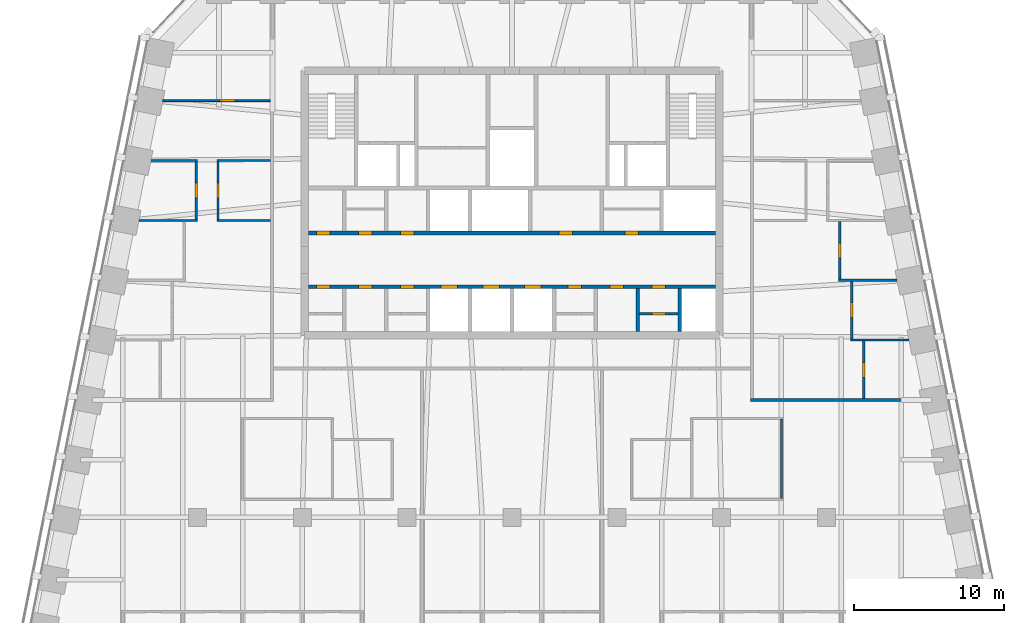
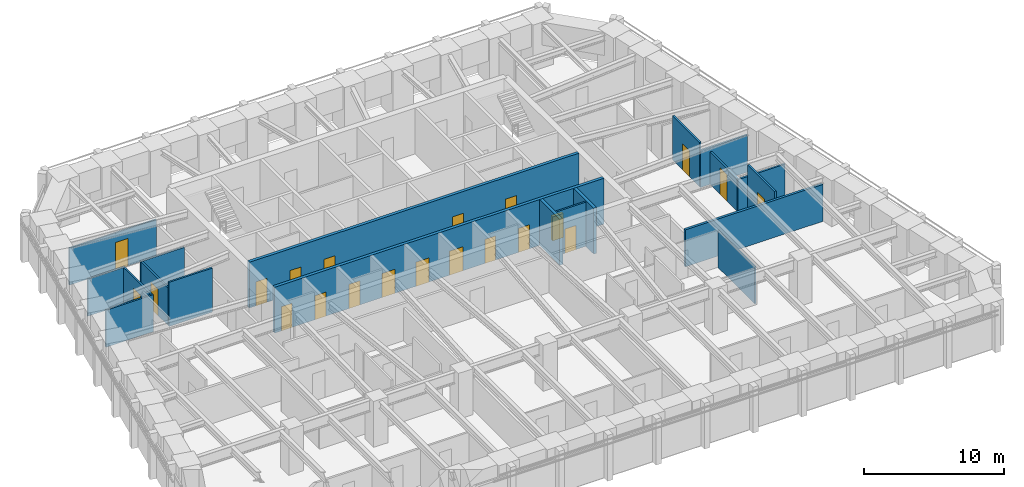
# One storey, part 7 of 11: 21 doors, 19 walls, 21 openings.
"""IFC4 building model written with IfcOpenShell, lengths in metres."""

import ifcopenshell
import ifcopenshell.guid

model = None  # the IFC model being written
_history = None  # IfcOwnerHistory: only IFC2X3 demands one
_inside = {}  # id of a spatial element -> (the spatial element, [elements in it])
_under = {}  # id of a project, library or spatial element -> (it, [spatial elements below it])
_declared = {}  # id of a project -> (the project, [libraries it declares])
_typed = {}  # id of a type object -> (the type object, [elements of that type])
_made_of = {}  # id of a material, layer set ... -> (it, [elements and type objects made of it])


def new_model(schema):
    """Start an empty IFC model of exactly this schema.

    Asked for "IFC4X3", IfcOpenShell would pick the latest addendum, in which some entities
    have other attributes; the version numbers below select the first issue.
    IFC2X3 requires an IfcOwnerHistory on every rooted entity: one is made here for all.
    """
    global model, _history
    if schema == "IFC4X3":
        model = ifcopenshell.file(schema_version=(4, 3, 0, 0))
    else:
        model = ifcopenshell.file(schema=schema)
    _inside.clear()
    _under.clear()
    _declared.clear()
    _typed.clear()
    _made_of.clear()
    _history = None
    if model.schema == "IFC2X3":
        org = make("IfcOrganization", Name="unknown")
        user = make(
            "IfcPersonAndOrganization",
            ThePerson=make("IfcPerson", FamilyName="unknown"),
            TheOrganization=org,
        )
        app = make(
            "IfcApplication",
            ApplicationDeveloper=org,
            Version="unknown",
            ApplicationFullName="unknown",
            ApplicationIdentifier="unknown",
        )
        _history = make(
            "IfcOwnerHistory",
            OwningUser=user,
            OwningApplication=app,
            ChangeAction="ADDED",
            CreationDate=0,
        )
    return model


def make(cls, **values):
    """One entity of the class cls with the attributes given. An attribute that is None is left unset."""
    return model.create_entity(
        cls, **{name: value for name, value in values.items() if value is not None}
    )


def rooted(cls, **values):
    """An entity with a GlobalId (a new one), such as an element, a storey or a relation."""
    return make(cls, GlobalId=ifcopenshell.guid.new(), OwnerHistory=_history, **values)


def si_unit(unit_type, name, prefix=None):
    """IfcSIUnit, for example si_unit("LENGTHUNIT", "METRE", prefix="MILLI")."""
    return make("IfcSIUnit", UnitType=unit_type, Prefix=prefix, Name=name)


def assignment(units):
    """IfcUnitAssignment: the units of a project."""
    return None if units is None else make("IfcUnitAssignment", Units=units)


def point(xyz):
    """IfcCartesianPoint."""
    return None if xyz is None else make("IfcCartesianPoint", Coordinates=xyz)


def direction(xyz):
    """IfcDirection."""
    return None if xyz is None else make("IfcDirection", DirectionRatios=xyz)


def frame(location, z_axis=None, x_axis=None):
    """IfcAxis2Placement3D, a coordinate frame: its origin and axes. An axis left out is left unset."""
    return make(
        "IfcAxis2Placement3D",
        Location=point(location),
        Axis=direction(z_axis),
        RefDirection=direction(x_axis),
    )


def frame_2d(location, x_axis=None):
    """IfcAxis2Placement2D, a coordinate frame in the plane: its origin and x axis."""
    return make(
        "IfcAxis2Placement2D", Location=point(location), RefDirection=direction(x_axis)
    )


def origin():
    """The frame at (0, 0, 0) with its axes left unset."""
    return frame((0.0, 0.0, 0.0))


def place(relative_to, where):
    """IfcLocalPlacement: puts the frame where relative to a parent placement (None: the world)."""
    return make(
        "IfcLocalPlacement", PlacementRelTo=relative_to, RelativePlacement=where
    )


def context(
    kind, dimensions, precision=None, world=None, true_north=None, identifier=None
):
    """IfcGeometricRepresentationContext, for example the 3D "Model" context."""
    return make(
        "IfcGeometricRepresentationContext",
        ContextIdentifier=identifier,
        ContextType=kind,
        CoordinateSpaceDimension=dimensions,
        Precision=precision,
        WorldCoordinateSystem=world,
        TrueNorth=true_north,
    )


def subcontext(parent, identifier, kind, view, scale=None):
    """IfcGeometricRepresentationSubContext, for example "Body" below "Model"."""
    return make(
        "IfcGeometricRepresentationSubContext",
        ContextIdentifier=identifier,
        ContextType=kind,
        ParentContext=parent,
        TargetScale=scale,
        TargetView=view,
    )


def project(units=None, contexts=None):
    """IfcProject with its units and contexts."""
    return rooted(
        "IfcProject",
        Name="project",
        RepresentationContexts=contexts,
        UnitsInContext=assignment(units),
    )


def spatial(cls, under=None, at=None, **own):
    """A site, building, storey or space (cls), placed at a placement, below another one or the project."""
    s = rooted(cls, ObjectPlacement=at, **own)
    if under is not None:
        _under.setdefault(under.id(), (under, []))[1].append(s)
    return s


def profile(cls, at=None, kind="AREA", **sizes):
    """A parametric profile (cls). Its sizes go by their IFC names, for example OverallWidth=200.0."""
    return make(cls, ProfileType=kind, Position=at, **sizes)


def rectangle(**sizes):
    """IfcRectangleProfileDef."""
    return profile("IfcRectangleProfileDef", **sizes)


def extrude(swept, where, along, depth):
    """IfcExtrudedAreaSolid: the profile swept, set in the frame where, extruded along a direction by depth."""
    return make(
        "IfcExtrudedAreaSolid",
        SweptArea=swept,
        Position=where,
        ExtrudedDirection=direction(along),
        Depth=depth,
    )


def shape(context_of_items, identifier, shape_type, items):
    """IfcShapeRepresentation: the items that make up one representation, for example the "Body"."""
    return make(
        "IfcShapeRepresentation",
        ContextOfItems=context_of_items,
        RepresentationIdentifier=identifier,
        RepresentationType=shape_type,
        Items=items,
    )


def material(Name=None, Category=None):
    """IfcMaterial."""
    return make("IfcMaterial", Name=Name, Category=Category)


def layer(
    of_material, thickness, ventilated=None, Name=None, Category=None, Priority=None
):
    """IfcMaterialLayer: one layer of a wall or slab, of a material (None: an air gap)."""
    return make(
        "IfcMaterialLayer",
        Material=of_material,
        LayerThickness=thickness,
        IsVentilated=ventilated,
        Name=Name,
        Category=Category,
        Priority=Priority,
    )


def layer_set(layers, Name=None):
    """IfcMaterialLayerSet."""
    return make("IfcMaterialLayerSet", MaterialLayers=layers, LayerSetName=Name)


def made_of(thing, what):
    """Note that an element or type object is made of a material, layer set ...; save() writes the relation."""
    if what is not None:
        _made_of.setdefault(what.id(), (what, []))[1].append(thing)
    return thing


def type_object(cls, material=None, **own):
    """A type object (cls), such as IfcWallType, which elements share."""
    return made_of(rooted(cls, **own), material)


def element(
    cls,
    number,
    at=None,
    inside=None,
    cuts=None,
    type_object=None,
    material=None,
    context=None,
    identifier="Body",
    shape_type=None,
    held_by="IfcProductDefinitionShape",
    body=None,
    shapes=None,
    **own,
):
    """One element of the class cls, such as IfcWall. Its Tag is "e" and its number.

    at: its placement. inside: the storey or other place that contains it. cuts: it is an
    opening in that element (IfcRelVoidsElement). A single representation is given by context,
    identifier, shape_type and body (its items); several are given by shapes. held_by: the class
    of the entity that holds the representations. save() writes the other relations.
    """
    e = rooted(cls, Tag="e%d" % number, ObjectPlacement=at, **own)
    if body is not None:
        shapes = [shape(context, identifier, shape_type, body)]
    if shapes is not None:
        e.Representation = make(held_by, Representations=shapes)
    if inside is not None:
        _inside.setdefault(inside.id(), (inside, []))[1].append(e)
    if cuts is not None:
        rooted(
            "IfcRelVoidsElement", RelatingBuildingElement=cuts, RelatedOpeningElement=e
        )
    if type_object is not None:
        _typed.setdefault(type_object.id(), (type_object, []))[1].append(e)
    return made_of(e, material)


def fill(opening, filler):
    """IfcRelFillsElement: the door or window that sits in an opening."""
    return rooted(
        "IfcRelFillsElement",
        RelatingOpeningElement=opening,
        RelatedBuildingElement=filler,
    )


def aggregate(whole, parts):
    """IfcRelAggregates: a whole, such as a stair, and the parts it consists of."""
    return rooted("IfcRelAggregates", RelatingObject=whole, RelatedObjects=parts)


def save(model, path):
    """Write the relations noted so far, then the file.

    IfcRelAggregates (storeys below a building ...), IfcRelContainedInSpatialStructure (elements
    in a storey), IfcRelDefinesByType, IfcRelAssociatesMaterial and IfcRelDeclares: one each for
    every whole, place, type object, material and project.
    """
    for whole, parts in _under.values():
        aggregate(whole, parts)
    for where, things in _inside.values():
        rooted(
            "IfcRelContainedInSpatialStructure",
            RelatedElements=things,
            RelatingStructure=where,
        )
    for kind, things in _typed.values():
        rooted("IfcRelDefinesByType", RelatedObjects=things, RelatingType=kind)
    for what, things in _made_of.values():
        rooted("IfcRelAssociatesMaterial", RelatedObjects=things, RelatingMaterial=what)
    for by, libraries in _declared.values():
        rooted("IfcRelDeclares", RelatingContext=by, RelatedDefinitions=libraries)
    model.write(path)


model = new_model("IFC4")

# Units and contexts
model_context = context("Model", 3, precision=1e-05, world=origin(), true_north=direction((0.0, 1.0)))
body_context = subcontext(model_context, "Body", "Model", "MODEL_VIEW")
ifc_project = project(units=[si_unit("LENGTHUNIT", "METRE"), si_unit("AREAUNIT", "SQUARE_METRE"), si_unit("VOLUMEUNIT", "CUBIC_METRE"), si_unit("PLANEANGLEUNIT", "RADIAN"), si_unit("MASSUNIT", "GRAM", prefix="KILO")], contexts=[model_context])

# Site, building, storey
site_placement = place(None, origin())
site = spatial("IfcSite", under=ifc_project, at=site_placement, CompositionType="ELEMENT")
building_placement = place(site_placement, origin())
building = spatial("IfcBuilding", under=site, at=building_placement, Name="Isbrekke Arena Tower", CompositionType="ELEMENT")
storey_placement = place(building_placement, frame((0.0, 0.0, 252.0)))
storey = spatial("IfcBuildingStorey", under=building, at=storey_placement, Name="L58", CompositionType="ELEMENT", Elevation=252.0)

# Wall, openings, doors
ifc_material_1 = material(Name="Concrete B45 (C45/55)", Category="concrete")
ifc_layer_1 = layer(ifc_material_1, 0.25)
ifc_layer_set_1 = layer_set([ifc_layer_1], Name="CW6 SHAFT WALL 250")
wall_type_1 = type_object("IfcWallType", Name="CW6 SHAFT WALL 250", PredefinedType="SHEAR", material=ifc_layer_set_1)
wall_1_placement = place(storey_placement, frame((-13.60009765625, 9.39990234375, 0.0), z_axis=(0.0, 0.0, 1.0), x_axis=(1.0, 0.0, 0.0)))
wall_1 = element("IfcWall", 1, at=wall_1_placement, inside=storey, type_object=wall_type_1, Name="Core wall LS L58", PredefinedType="SHEAR", context=body_context, shape_type="SweptSolid", body=[
    extrude(rectangle(XDim=27.2001953125, YDim=0.25, at=frame_2d((13.60009765625, 0.0))), origin(), (0.0, 0.0, 1.0), 4.0),
])
opening_1_placement = place(wall_1_placement, frame((8.85009765625, 0.0, 0.0)))
opening_1 = element("IfcOpeningElement", 2, at=opening_1_placement, cuts=wall_1, Name="Opening LD1", PredefinedType="OPENING", context=body_context, shape_type="SweptSolid", body=[
    extrude(rectangle(XDim=1.10009765625, YDim=2.10009765625, at=frame_2d((0.550048828125, 1.050048828125))), frame((0.0, 0.139892578125, 0.0), z_axis=(0.0, -1.0, 0.0), x_axis=(1.0, 0.0, 0.0)), (0.0, 0.0, 1.0), 0.27978515625),
])
opening_2_placement = place(wall_1_placement, frame((11.64990234375, 0.0, 0.0)))
opening_2 = element("IfcOpeningElement", 3, at=opening_2_placement, cuts=wall_1, Name="Opening LD1", PredefinedType="OPENING", context=body_context, shape_type="SweptSolid", body=[
    extrude(rectangle(XDim=1.10009765625, YDim=2.10009765625, at=frame_2d((0.550048828125, 1.050048828125))), frame((0.0, 0.139892578125, 0.0), z_axis=(0.0, -1.0, 0.0), x_axis=(1.0, 0.0, 0.0)), (0.0, 0.0, 1.0), 0.27978515625),
])
opening_3_placement = place(wall_1_placement, frame((14.449951171875, 0.0, 0.0)))
opening_3 = element("IfcOpeningElement", 4, at=opening_3_placement, cuts=wall_1, Name="Opening LD1", PredefinedType="OPENING", context=body_context, shape_type="SweptSolid", body=[
    extrude(rectangle(XDim=1.10009765625, YDim=2.10009765625, at=frame_2d((0.550048828125, 1.050048828125))), frame((0.0, 0.139892578125, 0.0), z_axis=(0.0, -1.0, 0.0), x_axis=(1.0, 0.0, 0.0)), (0.0, 0.0, 1.0), 0.27978515625),
])
opening_4_placement = place(wall_1_placement, frame((0.550048828125, 0.0, 0.0)))
opening_4 = element("IfcOpeningElement", 5, at=opening_4_placement, cuts=wall_1, Name="Opening D5", PredefinedType="OPENING", context=body_context, shape_type="SweptSolid", body=[
    extrude(rectangle(XDim=0.89990234375, YDim=2.10009765625, at=frame_2d((0.449951171875, 1.050048828125))), frame((0.0, 0.139892578125, 0.0), z_axis=(0.0, -1.0, 0.0), x_axis=(1.0, 0.0, 0.0)), (0.0, 0.0, 1.0), 0.27978515625),
])
opening_5_placement = place(wall_1_placement, frame((3.35009765625, 0.0, 0.0)))
opening_5 = element("IfcOpeningElement", 6, at=opening_5_placement, cuts=wall_1, Name="Opening D5", PredefinedType="OPENING", context=body_context, shape_type="SweptSolid", body=[
    extrude(rectangle(XDim=0.89990234375, YDim=2.10009765625, at=frame_2d((0.449951171875, 1.050048828125))), frame((0.0, 0.139892578125, 0.0), z_axis=(0.0, -1.0, 0.0), x_axis=(1.0, 0.0, 0.0)), (0.0, 0.0, 1.0), 0.27978515625),
])
opening_6_placement = place(wall_1_placement, frame((6.14990234375, 0.0, 0.0)))
opening_6 = element("IfcOpeningElement", 7, at=opening_6_placement, cuts=wall_1, Name="Opening D5", PredefinedType="OPENING", context=body_context, shape_type="SweptSolid", body=[
    extrude(rectangle(XDim=0.89990234375, YDim=2.10009765625, at=frame_2d((0.449951171875, 1.050048828125))), frame((0.0, 0.139892578125, 0.0), z_axis=(0.0, -1.0, 0.0), x_axis=(1.0, 0.0, 0.0)), (0.0, 0.0, 1.0), 0.27978515625),
])
opening_7_placement = place(wall_1_placement, frame((17.35009765625, 0.0, 0.0)))
opening_7 = element("IfcOpeningElement", 8, at=opening_7_placement, cuts=wall_1, Name="Opening D5", PredefinedType="OPENING", context=body_context, shape_type="SweptSolid", body=[
    extrude(rectangle(XDim=0.89990234375, YDim=2.10009765625, at=frame_2d((0.449951171875, 1.050048828125))), frame((0.0, 0.139892578125, 0.0), z_axis=(0.0, -1.0, 0.0), x_axis=(1.0, 0.0, 0.0)), (0.0, 0.0, 1.0), 0.27978515625),
])
opening_8_placement = place(wall_1_placement, frame((20.14990234375, 0.0, 0.0)))
opening_8 = element("IfcOpeningElement", 9, at=opening_8_placement, cuts=wall_1, Name="Opening D5", PredefinedType="OPENING", context=body_context, shape_type="SweptSolid", body=[
    extrude(rectangle(XDim=0.89990234375, YDim=2.10009765625, at=frame_2d((0.449951171875, 1.050048828125))), frame((0.0, 0.139892578125, 0.0), z_axis=(0.0, -1.0, 0.0), x_axis=(1.0, 0.0, 0.0)), (0.0, 0.0, 1.0), 0.27978515625),
])
opening_9_placement = place(wall_1_placement, frame((22.949951171875, 0.0, 0.0)))
opening_9 = element("IfcOpeningElement", 10, at=opening_9_placement, cuts=wall_1, Name="Opening D5", PredefinedType="OPENING", context=body_context, shape_type="SweptSolid", body=[
    extrude(rectangle(XDim=0.89990234375, YDim=2.10009765625, at=frame_2d((0.449951171875, 1.050048828125))), frame((0.0, 0.139892578125, 0.0), z_axis=(0.0, -1.0, 0.0), x_axis=(1.0, 0.0, 0.0)), (0.0, 0.0, 1.0), 0.27978515625),
])
ifc_material_2 = material(Name="Steel fire door", Category="steel")
door_type_1 = type_object("IfcDoorType", Name="D5 SERVICE DOOR 900 x 2100", OperationType="SINGLE_SWING_LEFT", PredefinedType="DOOR", material=ifc_material_2)
door_1_placement = place(opening_4_placement, origin())
door_1 = element("IfcDoor", 11, at=door_1_placement, inside=storey, type_object=door_type_1, Name="D5 pantry door L58", OperationType="SINGLE_SWING_LEFT", OverallHeight=2.10009765625, OverallWidth=0.89990234375, PredefinedType="DOOR", context=body_context, shape_type="SweptSolid", body=[
    extrude(rectangle(XDim=0.89990234375, YDim=2.10009765625, at=frame_2d((0.449951171875, 1.050048828125))), frame((0.0, 0.124755859375, 0.0), z_axis=(0.0, -1.0, 0.0), x_axis=(1.0, 0.0, 0.0)), (0.0, 0.0, 1.0), 0.24951171875),
])
fill(opening_4, door_1)
door_2_placement = place(opening_5_placement, origin())
door_2 = element("IfcDoor", 12, at=door_2_placement, inside=storey, type_object=door_type_1, Name="D5 technical room door L58", OperationType="SINGLE_SWING_LEFT", OverallHeight=2.10009765625, OverallWidth=0.89990234375, PredefinedType="DOOR", context=body_context, shape_type="SweptSolid", body=[
    extrude(rectangle(XDim=0.89990234375, YDim=2.10009765625, at=frame_2d((0.449951171875, 1.050048828125))), frame((0.0, 0.124755859375, 0.0), z_axis=(0.0, -1.0, 0.0), x_axis=(1.0, 0.0, 0.0)), (0.0, 0.0, 1.0), 0.24951171875),
])
fill(opening_5, door_2)
door_3_placement = place(opening_6_placement, origin())
door_3 = element("IfcDoor", 13, at=door_3_placement, inside=storey, type_object=door_type_1, Name="D5 first-aid room door L58", OperationType="SINGLE_SWING_LEFT", OverallHeight=2.10009765625, OverallWidth=0.89990234375, PredefinedType="DOOR", context=body_context, shape_type="SweptSolid", body=[
    extrude(rectangle(XDim=0.89990234375, YDim=2.10009765625, at=frame_2d((0.449951171875, 1.050048828125))), frame((0.0, 0.124755859375, 0.0), z_axis=(0.0, -1.0, 0.0), x_axis=(1.0, 0.0, 0.0)), (0.0, 0.0, 1.0), 0.24951171875),
])
fill(opening_6, door_3)
door_4_placement = place(opening_7_placement, origin())
door_4 = element("IfcDoor", 14, at=door_4_placement, inside=storey, type_object=door_type_1, Name="D5 tea point door L58", OperationType="SINGLE_SWING_LEFT", OverallHeight=2.10009765625, OverallWidth=0.89990234375, PredefinedType="DOOR", context=body_context, shape_type="SweptSolid", body=[
    extrude(rectangle(XDim=0.89990234375, YDim=2.10009765625, at=frame_2d((0.449951171875, 1.050048828125))), frame((0.0, 0.124755859375, 0.0), z_axis=(0.0, -1.0, 0.0), x_axis=(1.0, 0.0, 0.0)), (0.0, 0.0, 1.0), 0.24951171875),
])
fill(opening_7, door_4)
door_5_placement = place(opening_8_placement, origin())
door_5 = element("IfcDoor", 15, at=door_5_placement, inside=storey, type_object=door_type_1, Name="D5 archive door L58", OperationType="SINGLE_SWING_LEFT", OverallHeight=2.10009765625, OverallWidth=0.89990234375, PredefinedType="DOOR", context=body_context, shape_type="SweptSolid", body=[
    extrude(rectangle(XDim=0.89990234375, YDim=2.10009765625, at=frame_2d((0.449951171875, 1.050048828125))), frame((0.0, 0.124755859375, 0.0), z_axis=(0.0, -1.0, 0.0), x_axis=(1.0, 0.0, 0.0)), (0.0, 0.0, 1.0), 0.24951171875),
])
fill(opening_8, door_5)
door_6_placement = place(opening_9_placement, origin())
door_6 = element("IfcDoor", 16, at=door_6_placement, inside=storey, type_object=door_type_1, Name="D5 mothers' room door L58", OperationType="SINGLE_SWING_LEFT", OverallHeight=2.10009765625, OverallWidth=0.89990234375, PredefinedType="DOOR", context=body_context, shape_type="SweptSolid", body=[
    extrude(rectangle(XDim=0.89990234375, YDim=2.10009765625, at=frame_2d((0.449951171875, 1.050048828125))), frame((0.0, 0.124755859375, 0.0), z_axis=(0.0, -1.0, 0.0), x_axis=(1.0, 0.0, 0.0)), (0.0, 0.0, 1.0), 0.24951171875),
])
fill(opening_9, door_6)
ifc_material_3 = material(Name="Stainless steel lift landing door", Category="steel")
door_type_2 = type_object("IfcDoorType", Name="LD1 LIFT LANDING DOOR 1100 x 2100", OperationType="SLIDING_TO_LEFT", PredefinedType="DOOR", material=ifc_material_3)
door_7_placement = place(opening_1_placement, origin())
door_7 = element("IfcDoor", 17, at=door_7_placement, inside=storey, type_object=door_type_2, Name="LD1 lift landing door LE L58", OperationType="SLIDING_TO_LEFT", OverallHeight=2.10009765625, OverallWidth=1.10009765625, PredefinedType="DOOR", context=body_context, shape_type="SweptSolid", body=[
    extrude(rectangle(XDim=1.10009765625, YDim=2.10009765625, at=frame_2d((0.550048828125, 1.050048828125))), frame((0.0, 0.124755859375, 0.0), z_axis=(0.0, -1.0, 0.0), x_axis=(1.0, 0.0, 0.0)), (0.0, 0.0, 1.0), 0.24951171875),
])
fill(opening_1, door_7)
door_8_placement = place(opening_2_placement, origin())
door_8 = element("IfcDoor", 18, at=door_8_placement, inside=storey, type_object=door_type_2, Name="LD1 lift landing door LE L58", OperationType="SLIDING_TO_LEFT", OverallHeight=2.10009765625, OverallWidth=1.10009765625, PredefinedType="DOOR", context=body_context, shape_type="SweptSolid", body=[
    extrude(rectangle(XDim=1.10009765625, YDim=2.10009765625, at=frame_2d((0.550048828125, 1.050048828125))), frame((0.0, 0.124755859375, 0.0), z_axis=(0.0, -1.0, 0.0), x_axis=(1.0, 0.0, 0.0)), (0.0, 0.0, 1.0), 0.24951171875),
])
fill(opening_2, door_8)
door_9_placement = place(opening_3_placement, origin())
door_9 = element("IfcDoor", 19, at=door_9_placement, inside=storey, type_object=door_type_2, Name="LD1 lift landing door LE L58", OperationType="SLIDING_TO_LEFT", OverallHeight=2.10009765625, OverallWidth=1.10009765625, PredefinedType="DOOR", context=body_context, shape_type="SweptSolid", body=[
    extrude(rectangle(XDim=1.10009765625, YDim=2.10009765625, at=frame_2d((0.550048828125, 1.050048828125))), frame((0.0, 0.124755859375, 0.0), z_axis=(0.0, -1.0, 0.0), x_axis=(1.0, 0.0, 0.0)), (0.0, 0.0, 1.0), 0.24951171875),
])
fill(opening_3, door_9)

wall_2_placement = place(storey_placement, frame((-13.60009765625, 13.0, 0.0), z_axis=(0.0, 0.0, 1.0), x_axis=(1.0, 0.0, 0.0)))
wall_2 = element("IfcWall", 20, at=wall_2_placement, inside=storey, type_object=wall_type_1, Name="Core wall LN L58", PredefinedType="SHEAR", context=body_context, shape_type="SweptSolid", body=[
    extrude(rectangle(XDim=27.2001953125, YDim=0.25, at=frame_2d((13.60009765625, 0.0))), origin(), (0.0, 0.0, 1.0), 4.0),
])
opening_10_placement = place(wall_2_placement, frame((16.75, 0.0, 0.0)))
opening_10 = element("IfcOpeningElement", 21, at=opening_10_placement, cuts=wall_2, Name="Opening D5", PredefinedType="OPENING", context=body_context, shape_type="SweptSolid", body=[
    extrude(rectangle(XDim=0.89990234375, YDim=2.10009765625, at=frame_2d((0.449951171875, 1.050048828125))), frame((0.0, 0.139892578125, 0.0), z_axis=(0.0, -1.0, 0.0), x_axis=(1.0, 0.0, 0.0)), (0.0, 0.0, 1.0), 0.27978515625),
])
opening_11_placement = place(wall_2_placement, frame((21.14990234375, 0.0, 0.0)))
opening_11 = element("IfcOpeningElement", 22, at=opening_11_placement, cuts=wall_2, Name="Opening D5", PredefinedType="OPENING", context=body_context, shape_type="SweptSolid", body=[
    extrude(rectangle(XDim=0.89990234375, YDim=2.10009765625, at=frame_2d((0.449951171875, 1.050048828125))), frame((0.0, 0.139892578125, 0.0), z_axis=(0.0, -1.0, 0.0), x_axis=(1.0, 0.0, 0.0)), (0.0, 0.0, 1.0), 0.27978515625),
])
opening_12_placement = place(wall_2_placement, frame((0.550048828125, 0.0, 0.0)))
opening_12 = element("IfcOpeningElement", 23, at=opening_12_placement, cuts=wall_2, Name="Opening D5", PredefinedType="OPENING", context=body_context, shape_type="SweptSolid", body=[
    extrude(rectangle(XDim=0.89990234375, YDim=2.10009765625, at=frame_2d((0.449951171875, 1.050048828125))), frame((0.0, 0.139892578125, 0.0), z_axis=(0.0, -1.0, 0.0), x_axis=(1.0, 0.0, 0.0)), (0.0, 0.0, 1.0), 0.27978515625),
])
opening_13_placement = place(wall_2_placement, frame((3.35009765625, 0.0, 0.0)))
opening_13 = element("IfcOpeningElement", 24, at=opening_13_placement, cuts=wall_2, Name="Opening D5", PredefinedType="OPENING", context=body_context, shape_type="SweptSolid", body=[
    extrude(rectangle(XDim=0.89990234375, YDim=2.10009765625, at=frame_2d((0.449951171875, 1.050048828125))), frame((0.0, 0.139892578125, 0.0), z_axis=(0.0, -1.0, 0.0), x_axis=(1.0, 0.0, 0.0)), (0.0, 0.0, 1.0), 0.27978515625),
])
opening_14_placement = place(wall_2_placement, frame((6.14990234375, 0.0, 0.0)))
opening_14 = element("IfcOpeningElement", 25, at=opening_14_placement, cuts=wall_2, Name="Opening D5", PredefinedType="OPENING", context=body_context, shape_type="SweptSolid", body=[
    extrude(rectangle(XDim=0.89990234375, YDim=2.10009765625, at=frame_2d((0.449951171875, 1.050048828125))), frame((0.0, 0.139892578125, 0.0), z_axis=(0.0, -1.0, 0.0), x_axis=(1.0, 0.0, 0.0)), (0.0, 0.0, 1.0), 0.27978515625),
])
door_10_placement = place(opening_10_placement, origin())
door_10 = element("IfcDoor", 26, at=door_10_placement, inside=storey, type_object=door_type_1, Name="D5 cleaner's store door L58", OperationType="SINGLE_SWING_LEFT", OverallHeight=2.10009765625, OverallWidth=0.89990234375, PredefinedType="DOOR", context=body_context, shape_type="SweptSolid", body=[
    extrude(rectangle(XDim=0.89990234375, YDim=2.10009765625, at=frame_2d((0.449951171875, 1.050048828125))), frame((0.0, 0.124755859375, 0.0), z_axis=(0.0, -1.0, 0.0), x_axis=(1.0, 0.0, 0.0)), (0.0, 0.0, 1.0), 0.24951171875),
])
fill(opening_10, door_10)
door_11_placement = place(opening_11_placement, origin())
door_11 = element("IfcDoor", 27, at=door_11_placement, inside=storey, type_object=door_type_1, Name="D5 communications room door L58", OperationType="SINGLE_SWING_LEFT", OverallHeight=2.10009765625, OverallWidth=0.89990234375, PredefinedType="DOOR", context=body_context, shape_type="SweptSolid", body=[
    extrude(rectangle(XDim=0.89990234375, YDim=2.10009765625, at=frame_2d((0.449951171875, 1.050048828125))), frame((0.0, 0.124755859375, 0.0), z_axis=(0.0, -1.0, 0.0), x_axis=(1.0, 0.0, 0.0)), (0.0, 0.0, 1.0), 0.24951171875),
])
fill(opening_11, door_11)
door_12_placement = place(opening_12_placement, origin())
door_12 = element("IfcDoor", 28, at=door_12_placement, inside=storey, type_object=door_type_1, Name="D5 print room door L58", OperationType="SINGLE_SWING_LEFT", OverallHeight=2.10009765625, OverallWidth=0.89990234375, PredefinedType="DOOR", context=body_context, shape_type="SweptSolid", body=[
    extrude(rectangle(XDim=0.89990234375, YDim=2.10009765625, at=frame_2d((0.449951171875, 1.050048828125))), frame((0.0, 0.124755859375, 0.0), z_axis=(0.0, -1.0, 0.0), x_axis=(1.0, 0.0, 0.0)), (0.0, 0.0, 1.0), 0.24951171875),
])
fill(opening_12, door_12)
door_13_placement = place(opening_13_placement, origin())
door_13 = element("IfcDoor", 29, at=door_13_placement, inside=storey, type_object=door_type_1, Name="D5 pantry door L58", OperationType="SINGLE_SWING_LEFT", OverallHeight=2.10009765625, OverallWidth=0.89990234375, PredefinedType="DOOR", context=body_context, shape_type="SweptSolid", body=[
    extrude(rectangle(XDim=0.89990234375, YDim=2.10009765625, at=frame_2d((0.449951171875, 1.050048828125))), frame((0.0, 0.124755859375, 0.0), z_axis=(0.0, -1.0, 0.0), x_axis=(1.0, 0.0, 0.0)), (0.0, 0.0, 1.0), 0.24951171875),
])
fill(opening_13, door_13)
door_14_placement = place(opening_14_placement, origin())
door_14 = element("IfcDoor", 30, at=door_14_placement, inside=storey, type_object=door_type_1, Name="D5 tenant store door L58", OperationType="SINGLE_SWING_LEFT", OverallHeight=2.10009765625, OverallWidth=0.89990234375, PredefinedType="DOOR", context=body_context, shape_type="SweptSolid", body=[
    extrude(rectangle(XDim=0.89990234375, YDim=2.10009765625, at=frame_2d((0.449951171875, 1.050048828125))), frame((0.0, 0.124755859375, 0.0), z_axis=(0.0, -1.0, 0.0), x_axis=(1.0, 0.0, 0.0)), (0.0, 0.0, 1.0), 0.24951171875),
])
fill(opening_14, door_14)

# Walls
for number, where, z_axis, x_axis, name in (
    (31, (8.39990234375, 6.39990234375, 0.0), (0.0, 0.0, 1.0), (0.0, 1.0, 0.0), "Core wall SS08 L58"),
    (32, (11.199951171875, 6.39990234375, 0.0), (0.0, 0.0, 1.0), (0.0, 1.0, 0.0), "Core wall SS09 L58"),
):
    element("IfcWall", number, at=place(storey_placement, frame(where, z_axis=z_axis, x_axis=x_axis)), inside=storey, type_object=wall_type_1, Name=name, PredefinedType="SHEAR", context=body_context, shape_type="SweptSolid", body=[
        extrude(rectangle(XDim=2.875, YDim=0.25, at=frame_2d((1.4375, 0.0))), origin(), (0.0, 0.0, 1.0), 4.0),
    ])
ifc_material_4 = material(Name="Gypsum board partition on steel studs", Category="steel")
ifc_layer_2 = layer(ifc_material_4, 0.14990234375)
ifc_layer_set_2 = layer_set([ifc_layer_2], Name="IW1 PARTITION 150")
wall_type_2 = type_object("IfcWallType", Name="IW1 PARTITION 150", PredefinedType="PARTITIONING", material=ifc_layer_set_2)
wall_3_placement = place(storey_placement, frame((22.625, 5.840087890625, 0.0), z_axis=(0.0, 0.0, 1.0), x_axis=(1.0, 0.0, 0.0)))
element("IfcWall", 33, at=wall_3_placement, inside=storey, type_object=wall_type_2, Name="IW1 partition 150 L58", PredefinedType="PARTITIONING", context=body_context, shape_type="SweptSolid", body=[
    extrude(rectangle(XDim=3.898681640625, YDim=0.14990234375, at=frame_2d((1.94921875, 0.0))), origin(), (0.0, 0.0, 1.0), 2.842041015625),
])
for number, where, z_axis, x_axis, name in (
    (34, (21.824951171875, 9.840087890625, 0.0), (0.0, 0.0, 1.0), (1.0, 0.0, 0.0), "IW1 partition 150 L58"),
    (35, (-24.923828125, 13.840087890625, 0.0), (0.0, 0.0, 1.0), (1.0, 0.0, 0.0), "IW1 partition 150 L58"),
):
    element("IfcWall", number, at=place(storey_placement, frame(where, z_axis=z_axis, x_axis=x_axis)), inside=storey, type_object=wall_type_2, Name=name, PredefinedType="PARTITIONING", context=body_context, shape_type="SweptSolid", body=[
        extrude(rectangle(XDim=3.89892578125, YDim=0.14990234375, at=frame_2d((1.949462890625, 0.0))), origin(), (0.0, 0.0, 1.0), 3.22998046875),
    ])
wall_4_placement = place(storey_placement, frame((-19.72509765625, 13.840087890625, 0.0), z_axis=(0.0, 0.0, 1.0), x_axis=(1.0, 0.0, 0.0)))
element("IfcWall", 36, at=wall_4_placement, inside=storey, type_object=wall_type_2, Name="IW1 partition 150 L58", PredefinedType="PARTITIONING", context=body_context, shape_type="SweptSolid", body=[
    extrude(rectangle(XDim=3.5751953125, YDim=0.14990234375, at=frame_2d((1.78759765625, 0.0))), origin(), (0.0, 0.0, 1.0), 3.85009765625),
])
wall_5_placement = place(storey_placement, frame((-24.123779296875, 17.840087890625, 0.0), z_axis=(0.0, 0.0, 1.0), x_axis=(1.0, 0.0, 0.0)))
element("IfcWall", 37, at=wall_5_placement, inside=storey, type_object=wall_type_2, Name="IW1 partition 150 L58", PredefinedType="PARTITIONING", context=body_context, shape_type="SweptSolid", body=[
    extrude(rectangle(XDim=3.098876953125, YDim=0.14990234375, at=frame_2d((1.54931640625, 0.0))), origin(), (0.0, 0.0, 1.0), 3.22998046875),
])
wall_6_placement = place(storey_placement, frame((-19.72509765625, 17.840087890625, 0.0), z_axis=(0.0, 0.0, 1.0), x_axis=(1.0, 0.0, 0.0)))
element("IfcWall", 38, at=wall_6_placement, inside=storey, type_object=wall_type_2, Name="IW1 partition 150 L58", PredefinedType="PARTITIONING", context=body_context, shape_type="SweptSolid", body=[
    extrude(rectangle(XDim=3.5751953125, YDim=0.14990234375, at=frame_2d((1.78759765625, 0.0))), origin(), (0.0, 0.0, 1.0), 3.22998046875),
])

# Wall, opening, door
wall_7_placement = place(storey_placement, frame((-21.10009765625, 13.9150390625, 0.0), z_axis=(0.0, 0.0, 1.0), x_axis=(0.0, 1.0, 0.0)))
wall_7 = element("IfcWall", 39, at=wall_7_placement, inside=storey, type_object=wall_type_2, Name="IW1 partition 150 L58", PredefinedType="PARTITIONING", context=body_context, shape_type="SweptSolid", body=[
    extrude(rectangle(XDim=3.849853515625, YDim=0.14990234375, at=frame_2d((1.9248046875, 0.0))), origin(), (0.0, 0.0, 1.0), 3.22998046875),
])
opening_15_placement = place(wall_7_placement, frame((1.425048828125, 0.0, 0.0)))
opening_15 = element("IfcOpeningElement", 40, at=opening_15_placement, cuts=wall_7, Name="Opening D10", PredefinedType="OPENING", context=body_context, shape_type="SweptSolid", body=[
    extrude(rectangle(XDim=1.0, YDim=2.300048828125, at=frame_2d((0.5, 1.14990234375))), frame((0.0, 0.08984375, 0.0), z_axis=(0.0, -1.0, 0.0), x_axis=(1.0, 0.0, 0.0)), (0.0, 0.0, 1.0), 0.1796875),
])
ifc_material_5 = material(Name="Timber door", Category="wood")
door_type_3 = type_object("IfcDoorType", Name="D10 OFFICE DOOR 1000 x 2300", OperationType="SINGLE_SWING_LEFT", PredefinedType="DOOR", material=ifc_material_5)
door_15_placement = place(opening_15_placement, origin())
door_15 = element("IfcDoor", 41, at=door_15_placement, inside=storey, type_object=door_type_3, Name="D10 office door L58", OperationType="SINGLE_SWING_LEFT", OverallHeight=2.300048828125, OverallWidth=1.0, PredefinedType="DOOR", context=body_context, shape_type="SweptSolid", body=[
    extrude(rectangle(XDim=1.0, YDim=2.300048828125, at=frame_2d((0.5, 1.14990234375))), frame((0.0, 0.07470703125, 0.0), z_axis=(0.0, -1.0, 0.0), x_axis=(1.0, 0.0, 0.0)), (0.0, 0.0, 1.0), 0.1494140625),
])
fill(opening_15, door_15)

wall_8_placement = place(storey_placement, frame((-19.64990234375, 13.9150390625, 0.0), z_axis=(0.0, 0.0, 1.0), x_axis=(0.0, 1.0, 0.0)))
wall_8 = element("IfcWall", 42, at=wall_8_placement, inside=storey, type_object=wall_type_2, Name="IW1 partition 150 L58", PredefinedType="PARTITIONING", context=body_context, shape_type="SweptSolid", body=[
    extrude(rectangle(XDim=3.849853515625, YDim=0.14990234375, at=frame_2d((1.9248046875, 0.0))), origin(), (0.0, 0.0, 1.0), 3.22998046875),
])
opening_16_placement = place(wall_8_placement, frame((1.425048828125, 0.0, 0.0)))
opening_16 = element("IfcOpeningElement", 43, at=opening_16_placement, cuts=wall_8, Name="Opening D10", PredefinedType="OPENING", context=body_context, shape_type="SweptSolid", body=[
    extrude(rectangle(XDim=1.0, YDim=2.300048828125, at=frame_2d((0.5, 1.14990234375))), frame((0.0, 0.08984375, 0.0), z_axis=(0.0, -1.0, 0.0), x_axis=(1.0, 0.0, 0.0)), (0.0, 0.0, 1.0), 0.1796875),
])
door_16_placement = place(opening_16_placement, origin())
door_16 = element("IfcDoor", 44, at=door_16_placement, inside=storey, type_object=door_type_3, Name="D10 print room door L58", OperationType="SINGLE_SWING_LEFT", OverallHeight=2.300048828125, OverallWidth=1.0, PredefinedType="DOOR", context=body_context, shape_type="SweptSolid", body=[
    extrude(rectangle(XDim=1.0, YDim=2.300048828125, at=frame_2d((0.5, 1.14990234375))), frame((0.0, 0.07470703125, 0.0), z_axis=(0.0, -1.0, 0.0), x_axis=(1.0, 0.0, 0.0)), (0.0, 0.0, 1.0), 0.1494140625),
])
fill(opening_16, door_16)

wall_9_placement = place(storey_placement, frame((21.89990234375, 9.9150390625, 0.0), z_axis=(0.0, 0.0, 1.0), x_axis=(0.0, 1.0, 0.0)))
wall_9 = element("IfcWall", 45, at=wall_9_placement, inside=storey, type_object=wall_type_2, Name="IW1 partition 150 L58", PredefinedType="PARTITIONING", context=body_context, shape_type="SweptSolid", body=[
    extrude(rectangle(XDim=3.849853515625, YDim=0.14990234375, at=frame_2d((1.9248046875, 0.0))), origin(), (0.0, 0.0, 1.0), 3.85009765625),
])
opening_17_placement = place(wall_9_placement, frame((1.425048828125, 0.0, 0.0)))
opening_17 = element("IfcOpeningElement", 46, at=opening_17_placement, cuts=wall_9, Name="Opening D10", PredefinedType="OPENING", context=body_context, shape_type="SweptSolid", body=[
    extrude(rectangle(XDim=1.0, YDim=2.300048828125, at=frame_2d((0.5, 1.14990234375))), frame((0.0, 0.08984375, 0.0), z_axis=(0.0, -1.0, 0.0), x_axis=(1.0, 0.0, 0.0)), (0.0, 0.0, 1.0), 0.1796875),
])
door_17_placement = place(opening_17_placement, origin())
door_17 = element("IfcDoor", 47, at=door_17_placement, inside=storey, type_object=door_type_3, Name="D10 office door L58", OperationType="SINGLE_SWING_LEFT", OverallHeight=2.300048828125, OverallWidth=1.0, PredefinedType="DOOR", context=body_context, shape_type="SweptSolid", body=[
    extrude(rectangle(XDim=1.0, YDim=2.300048828125, at=frame_2d((0.5, 1.14990234375))), frame((0.0, 0.07470703125, 0.0), z_axis=(0.0, -1.0, 0.0), x_axis=(1.0, 0.0, 0.0)), (0.0, 0.0, 1.0), 0.1494140625),
])
fill(opening_17, door_17)

wall_10_placement = place(storey_placement, frame((22.699951171875, 5.9150390625, 0.0), z_axis=(0.0, 0.0, 1.0), x_axis=(0.0, 1.0, 0.0)))
wall_10 = element("IfcWall", 48, at=wall_10_placement, inside=storey, type_object=wall_type_2, Name="IW1 partition 150 L58", PredefinedType="PARTITIONING", context=body_context, shape_type="SweptSolid", body=[
    extrude(rectangle(XDim=3.849853515625, YDim=0.14990234375, at=frame_2d((1.9248046875, 0.0))), origin(), (0.0, 0.0, 1.0), 2.842041015625),
])
opening_18_placement = place(wall_10_placement, frame((1.425048828125, 0.0, 0.0)))
opening_18 = element("IfcOpeningElement", 49, at=opening_18_placement, cuts=wall_10, Name="Opening D10", PredefinedType="OPENING", context=body_context, shape_type="SweptSolid", body=[
    extrude(rectangle(XDim=1.0, YDim=2.300048828125, at=frame_2d((0.5, 1.14990234375))), frame((0.0, 0.08984375, 0.0), z_axis=(0.0, -1.0, 0.0), x_axis=(1.0, 0.0, 0.0)), (0.0, 0.0, 1.0), 0.1796875),
])
door_18_placement = place(opening_18_placement, origin())
door_18 = element("IfcDoor", 50, at=door_18_placement, inside=storey, type_object=door_type_3, Name="D10 office door L58", OperationType="SINGLE_SWING_LEFT", OverallHeight=2.300048828125, OverallWidth=1.0, PredefinedType="DOOR", context=body_context, shape_type="SweptSolid", body=[
    extrude(rectangle(XDim=1.0, YDim=2.300048828125, at=frame_2d((0.5, 1.14990234375))), frame((0.0, 0.07470703125, 0.0), z_axis=(0.0, -1.0, 0.0), x_axis=(1.0, 0.0, 0.0)), (0.0, 0.0, 1.0), 0.1494140625),
])
fill(opening_18, door_18)

wall_11_placement = place(storey_placement, frame((23.5, 1.93994140625, 0.0), z_axis=(0.0, 0.0, 1.0), x_axis=(0.0, 1.0, 0.0)))
wall_11 = element("IfcWall", 51, at=wall_11_placement, inside=storey, type_object=wall_type_2, Name="IW1 partition 150 L58", PredefinedType="PARTITIONING", context=body_context, shape_type="SweptSolid", body=[
    extrude(rectangle(XDim=3.824951171875, YDim=0.14990234375, at=frame_2d((1.91259765625, 0.0))), origin(), (0.0, 0.0, 1.0), 3.85009765625),
])
opening_19_placement = place(wall_11_placement, frame((1.39990234375, 0.0, 0.0)))
opening_19 = element("IfcOpeningElement", 52, at=opening_19_placement, cuts=wall_11, Name="Opening D10", PredefinedType="OPENING", context=body_context, shape_type="SweptSolid", body=[
    extrude(rectangle(XDim=1.0, YDim=2.300048828125, at=frame_2d((0.5, 1.14990234375))), frame((0.0, 0.08984375, 0.0), z_axis=(0.0, -1.0, 0.0), x_axis=(1.0, 0.0, 0.0)), (0.0, 0.0, 1.0), 0.1796875),
])
door_19_placement = place(opening_19_placement, origin())
door_19 = element("IfcDoor", 53, at=door_19_placement, inside=storey, type_object=door_type_3, Name="D10 office door L58", OperationType="SINGLE_SWING_LEFT", OverallHeight=2.300048828125, OverallWidth=1.0, PredefinedType="DOOR", context=body_context, shape_type="SweptSolid", body=[
    extrude(rectangle(XDim=1.0, YDim=2.300048828125, at=frame_2d((0.5, 1.14990234375))), frame((0.0, 0.07470703125, 0.0), z_axis=(0.0, -1.0, 0.0), x_axis=(1.0, 0.0, 0.0)), (0.0, 0.0, 1.0), 0.1494140625),
])
fill(opening_19, door_19)

ifc_material_6 = material(Name="Frameless glazed partition, laminated acoustic glass", Category="glass")
ifc_layer_3 = layer(ifc_material_6, 0.1201171875)
ifc_layer_set_3 = layer_set([ifc_layer_3], Name="IW2 GLAZED PARTITION 120")
wall_type_3 = type_object("IfcWallType", Name="IW2 GLAZED PARTITION 120", PredefinedType="PARTITIONING", material=ifc_layer_set_3)
wall_12_placement = place(storey_placement, frame((-23.32373046875, 21.840087890625, 0.0), z_axis=(0.0, 0.0, 1.0), x_axis=(1.0, 0.0, 0.0)))
wall_12 = element("IfcWall", 54, at=wall_12_placement, inside=storey, type_object=wall_type_3, Name="IW2 glazed partition 120 L58", PredefinedType="PARTITIONING", context=body_context, shape_type="SweptSolid", body=[
    extrude(rectangle(XDim=7.173828125, YDim=0.1201171875, at=frame_2d((3.5869140625, 0.0))), origin(), (0.0, 0.0, 1.0), 3.22998046875),
])
opening_20_placement = place(wall_12_placement, frame((3.82373046875, 0.0, 0.0)))
opening_20 = element("IfcOpeningElement", 55, at=opening_20_placement, cuts=wall_12, Name="Opening D11", PredefinedType="OPENING", context=body_context, shape_type="SweptSolid", body=[
    extrude(rectangle(XDim=1.0, YDim=2.39990234375, at=frame_2d((0.5, 1.199951171875))), frame((0.0, 0.074951171875, 0.0), z_axis=(0.0, -1.0, 0.0), x_axis=(1.0, 0.0, 0.0)), (0.0, 0.0, 1.0), 0.14990234375),
])
ifc_material_7 = material(Name="Frameless glazed door", Category="glass")
door_type_4 = type_object("IfcDoorType", Name="D11 GLAZED MEETING ROOM DOOR 1000 x 2400", OperationType="SINGLE_SWING_RIGHT", PredefinedType="DOOR", material=ifc_material_7)
door_20_placement = place(opening_20_placement, origin())
door_20 = element("IfcDoor", 56, at=door_20_placement, inside=storey, type_object=door_type_4, Name="D11 meeting room door L58", OperationType="SINGLE_SWING_RIGHT", OverallHeight=2.39990234375, OverallWidth=1.0, PredefinedType="DOOR", context=body_context, shape_type="SweptSolid", body=[
    extrude(rectangle(XDim=1.0, YDim=2.39990234375, at=frame_2d((0.5, 1.199951171875))), frame((0.0, 0.059814453125, 0.0), z_axis=(0.0, -1.0, 0.0), x_axis=(1.0, 0.0, 0.0)), (0.0, 0.0, 1.0), 0.11962890625),
])
fill(opening_20, door_20)

# Walls
wall_13_placement = place(storey_placement, frame((18.0, -4.739990234375, 0.0), z_axis=(0.0, 0.0, 1.0), x_axis=(0.0, 1.0, 0.0)))
element("IfcWall", 57, at=wall_13_placement, inside=storey, type_object=wall_type_3, Name="IW2 glazed partition 120 L58", PredefinedType="PARTITIONING", context=body_context, shape_type="SweptSolid", body=[
    extrude(rectangle(XDim=5.280029296875, YDim=0.1201171875, at=frame_2d((2.64013671875, 0.0))), origin(), (0.0, 0.0, 1.0), 3.22998046875),
])
ifc_material_8 = material(Name="Gypsum board fire-cell wall on steel studs, two layers each side", Category="steel")
ifc_layer_4 = layer(ifc_material_8, 0.199951171875)
ifc_layer_set_4 = layer_set([ifc_layer_4], Name="IW3 FIRE-CELL WALL 200")
wall_type_4 = type_object("IfcWallType", Name="IW3 FIRE-CELL WALL 200", PredefinedType="PARTITIONING", material=ifc_layer_set_4)
wall_14_placement = place(storey_placement, frame((15.949951171875, 1.840087890625, 0.0), z_axis=(0.0, 0.0, 1.0), x_axis=(1.0, 0.0, 0.0)))
element("IfcWall", 58, at=wall_14_placement, inside=storey, type_object=wall_type_4, Name="IW3 fire-cell wall 200 L58", PredefinedType="PARTITIONING", context=body_context, shape_type="SweptSolid", body=[
    extrude(rectangle(XDim=11.373779296875, YDim=0.199951171875, at=frame_2d((5.68701171875, 0.0))), origin(), (0.0, 0.0, 1.0), 3.22998046875),
])

# Wall, opening, door
ifc_material_9 = material(Name="Gypsum board fire-rated partition on steel studs, two layers each side", Category="steel")
ifc_layer_5 = layer(ifc_material_9, 0.14990234375)
ifc_layer_set_5 = layer_set([ifc_layer_5], Name="IW5 FIRE-RATED PARTITION 150")
wall_type_5 = type_object("IfcWallType", Name="IW5 FIRE-RATED PARTITION 150", PredefinedType="PARTITIONING", material=ifc_layer_set_5)
wall_15_placement = place(storey_placement, frame((8.52490234375, 7.60009765625, 0.0), z_axis=(0.0, 0.0, 1.0), x_axis=(1.0, 0.0, 0.0)))
wall_15 = element("IfcWall", 59, at=wall_15_placement, inside=storey, type_object=wall_type_5, Name="IW5 fire-rated partition L58 core service rooms 6", PredefinedType="PARTITIONING", context=body_context, shape_type="SweptSolid", body=[
    extrude(rectangle(XDim=2.550048828125, YDim=0.14990234375, at=frame_2d((1.27490234375, 0.0))), origin(), (0.0, 0.0, 1.0), 3.85009765625),
])
opening_21_placement = place(wall_15_placement, frame((0.824951171875, 0.0, 0.0)))
opening_21 = element("IfcOpeningElement", 60, at=opening_21_placement, cuts=wall_15, Name="Opening D5", PredefinedType="OPENING", context=body_context, shape_type="SweptSolid", body=[
    extrude(rectangle(XDim=0.89990234375, YDim=2.10009765625, at=frame_2d((0.449951171875, 1.050048828125))), frame((0.0, 0.08984375, 0.0), z_axis=(0.0, -1.0, 0.0), x_axis=(1.0, 0.0, 0.0)), (0.0, 0.0, 1.0), 0.1796875),
])
door_21_placement = place(opening_21_placement, origin())
door_21 = element("IfcDoor", 61, at=door_21_placement, inside=storey, type_object=door_type_1, Name="D5 archive door L58", OperationType="SINGLE_SWING_LEFT", OverallHeight=2.10009765625, OverallWidth=0.89990234375, PredefinedType="DOOR", context=body_context, shape_type="SweptSolid", body=[
    extrude(rectangle(XDim=0.89990234375, YDim=2.10009765625, at=frame_2d((0.449951171875, 1.050048828125))), frame((0.0, 0.07470703125, 0.0), z_axis=(0.0, -1.0, 0.0), x_axis=(1.0, 0.0, 0.0)), (0.0, 0.0, 1.0), 0.1494140625),
])
fill(opening_21, door_21)

save(model, "model.ifc")
